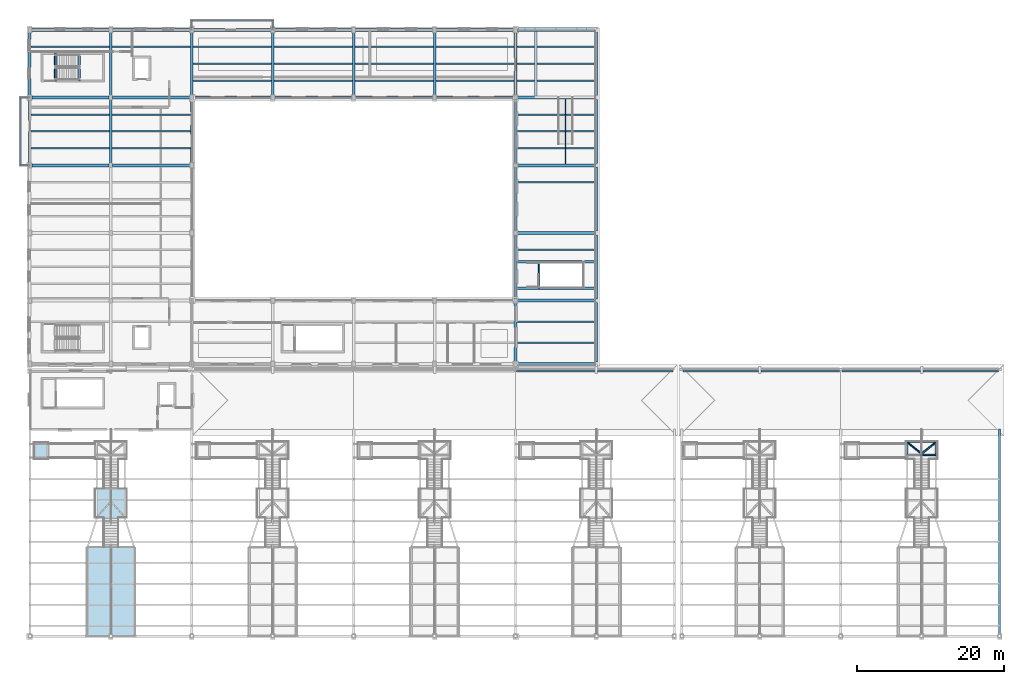
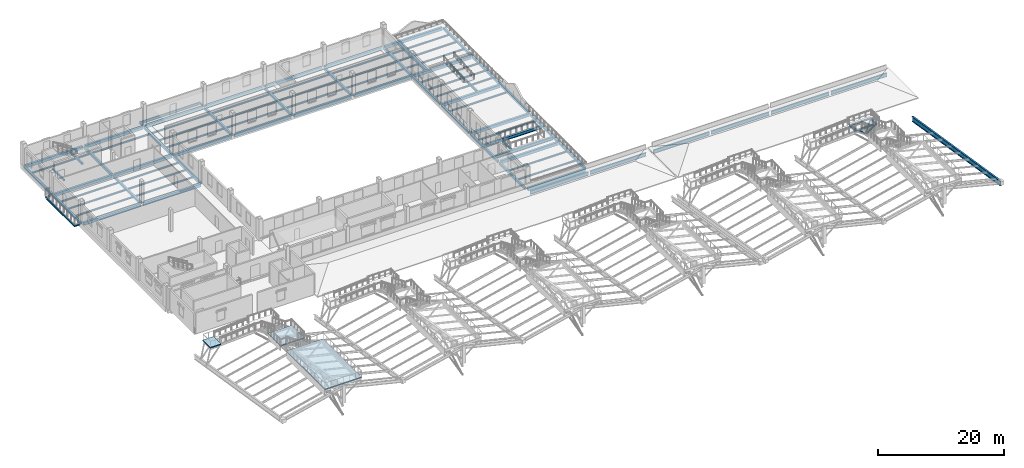
# One storey, part 15 of 43: 93 beams, 3 members, 3 slabs, 1 element without a shape of its own.
"""IFC4 building model written with IfcOpenShell, lengths in metres."""

from ifc_helpers import new_model, si_unit, direction, frame, origin, origin_2d, place, context, subcontext, project, spatial, polyline, rectangle, hollow_circle, i_section, outline, extrude, material, layer, layer_set, material_profile, profile_set, type_object, element, aggregate, save


model = new_model("IFC4")

# Units and contexts
model_context = context("Model", 3, precision=1e-05, world=origin(), true_north=direction((0.0, 1.0)))
body_context = subcontext(model_context, "Body", "Model", "MODEL_VIEW")
ifc_project = project(units=[si_unit("LENGTHUNIT", "METRE"), si_unit("AREAUNIT", "SQUARE_METRE"), si_unit("VOLUMEUNIT", "CUBIC_METRE"), si_unit("PLANEANGLEUNIT", "RADIAN"), si_unit("MASSUNIT", "GRAM", prefix="KILO")], contexts=[model_context])

# Site, building, storey
site_placement = place(None, origin())
site = spatial("IfcSite", under=ifc_project, at=site_placement, CompositionType="ELEMENT")
building_placement = place(site_placement, origin())
building = spatial("IfcBuilding", under=site, at=building_placement, Name="Caurita Quay Ferry Terminal", CompositionType="ELEMENT")
storey_placement = place(building_placement, frame((0.0, 0.0, 14.10009765625)))
storey = spatial("IfcBuildingStorey", under=building, at=storey_placement, Name="L03", CompositionType="ELEMENT", Elevation=14.10009765625)

# Beams
ifc_material_1 = material(Name="Structural steel ASTM A992 Gr. 50", Category="steel")
ifc_material_profile_1 = material_profile(ifc_material_1, i_section(OverallWidth=0.193115234375, OverallDepth=0.46728515625, WebThickness=0.011474609375, FlangeThickness=0.01904296875, FilletRadius=0.0126953125, at=origin_2d()), Name="W18X65")
ifc_profile_set_1 = profile_set([ifc_material_profile_1], Name="Structural steel ASTM A992 Gr. 50")
beam_type_1 = type_object("IfcBeamType", Name="BM-GR-W18A", PredefinedType="BEAM", material=ifc_profile_set_1)
beam_1_placement = place(storey_placement, frame((22.102294921875, 118.219970703125, -0.453857421875), z_axis=(1.0, 0.0, 0.0), x_axis=(0.0, 1.0, 0.0)))
element("IfcBeam", 1, at=beam_1_placement, inside=storey, type_object=beam_type_1, Name="L03 Balcony Front Edge Beam 14", PredefinedType="BEAM", context=body_context, shape_type="SweptSolid", body=[
    extrude(i_section(OverallWidth=0.193115234375, OverallDepth=0.46728515625, WebThickness=0.011474609375, FlangeThickness=0.01904296875, FilletRadius=0.0126953125, at=origin_2d()), origin(), (0.0, 0.0, 1.0), 10.79541015625),
])
beam_2_placement = place(storey_placement, frame((-1.219970703125, 98.7021484375, -0.453857421875), z_axis=(0.0, 1.0, 0.0), x_axis=(-1.0, 0.0, 0.0)))
element("IfcBeam", 2, at=beam_2_placement, inside=storey, type_object=beam_type_1, Name="L03 Balcony Front Edge Beam 15", PredefinedType="BEAM", context=body_context, shape_type="SweptSolid", body=[
    extrude(i_section(OverallWidth=0.193115234375, OverallDepth=0.46728515625, WebThickness=0.011474609375, FlangeThickness=0.01904296875, FilletRadius=0.0126953125, at=origin_2d()), origin(), (0.0, 0.0, 1.0), 8.99560546875),
])
beam_3_placement = place(storey_placement, frame((72.800048828125, 98.800048828125, -0.44384765625), z_axis=(0.0, 1.0, 0.0), x_axis=(-1.0, 0.0, 0.0)))
element("IfcBeam", 3, at=beam_3_placement, inside=storey, type_object=beam_type_1, Name="L03 Lookout Ramp RMP-06 Underside Stringer", PredefinedType="BEAM", context=body_context, shape_type="SweptSolid", body=[
    extrude(i_section(OverallWidth=0.193115234375, OverallDepth=0.46728515625, WebThickness=0.011474609375, FlangeThickness=0.01904296875, FilletRadius=0.0126953125, at=origin_2d()), origin(), (0.0, 0.0, 1.0), 8.800048828125),
])
ifc_material_profile_2 = material_profile(ifc_material_1, i_section(OverallWidth=0.3251953125, OverallDepth=0.612060546875, WebThickness=0.0126953125, FlangeThickness=0.01904296875, FilletRadius=0.01513671875, at=origin_2d()), Name="W24X104")
ifc_profile_set_2 = profile_set([ifc_material_profile_2], Name="Structural steel ASTM A992 Gr. 50")
beam_type_2 = type_object("IfcBeamType", Name="BM-GR-W24A", PredefinedType="BEAM", material=ifc_profile_set_2)
for number, where, z_axis, x_axis, name in (
    (4, (66.175048828125, 81.8798828125, -0.51611328125), (1.0, 0.0, 0.0), (0.0, 1.0, 0.0), "L03 Promenade Stair ST-14 Stringer S"),
    (5, (66.175048828125, 85.47998046875, -0.51611328125), (1.0, 0.0, 0.0), (0.0, 1.0, 0.0), "L03 Promenade Stair ST-14 Stringer N"),
):
    element("IfcBeam", number, at=place(storey_placement, frame(where, z_axis=z_axis, x_axis=x_axis)), inside=storey, type_object=beam_type_2, Name=name, PredefinedType="BEAM", context=body_context, shape_type="SweptSolid", body=[
        extrude(i_section(OverallWidth=0.3251953125, OverallDepth=0.612060546875, WebThickness=0.0126953125, FlangeThickness=0.01904296875, FilletRadius=0.01513671875, at=origin_2d()), origin(), (0.0, 0.0, 1.0), 10.64990234375),
    ])
ifc_material_profile_3 = material_profile(ifc_material_1, i_section(OverallWidth=0.25390625, OverallDepth=0.68310546875, WebThickness=0.012451171875, FlangeThickness=0.018798828125, at=origin_2d()), Name="W27X94")
ifc_profile_set_3 = profile_set([ifc_material_profile_3], Name="Structural steel ASTM A992 Gr. 50")
beam_type_3 = type_object("IfcBeamType", Name="BM-GR-W27B", PredefinedType="BEAM", material=ifc_profile_set_3)
beam_4_placement = place(storey_placement, frame((66.15771484375, 70.60009765625, -0.551513671875), z_axis=(1.0, 0.0, 0.0), x_axis=(0.0, 1.0, 0.0)))
element("IfcBeam", 6, at=beam_4_placement, inside=storey, type_object=beam_type_3, Name="L03 Beam BM-V1-L03-X-662-706", PredefinedType="BEAM", context=body_context, shape_type="SweptSolid", body=[
    extrude(i_section(OverallWidth=0.25390625, OverallDepth=0.68310546875, WebThickness=0.012451171875, FlangeThickness=0.018798828125, at=origin_2d()), origin(), (0.0, 0.0, 1.0), 10.6845703125),
])
beam_5_placement = place(storey_placement, frame((77.15771484375, 70.60009765625, -0.551513671875), z_axis=(1.0, 0.0, 0.0), x_axis=(0.0, 1.0, 0.0)))
element("IfcBeam", 7, at=beam_5_placement, inside=storey, type_object=beam_type_3, Name="L03 Beam BM-V1-L03-X-772-706", PredefinedType="BEAM", context=body_context, shape_type="SweptSolid", body=[
    extrude(i_section(OverallWidth=0.25390625, OverallDepth=0.68310546875, WebThickness=0.012451171875, FlangeThickness=0.018798828125, at=origin_2d()), origin(), (0.0, 0.0, 1.0), 10.28466796875),
])
beam_6_placement = place(storey_placement, frame((88.75634765625, 70.60009765625, -0.551513671875), z_axis=(1.0, 0.0, 0.0), x_axis=(0.0, 1.0, 0.0)))
element("IfcBeam", 8, at=beam_6_placement, inside=storey, type_object=beam_type_3, Name="L03 Beam BM-V2-L03-X-888-706", PredefinedType="BEAM", context=body_context, shape_type="SweptSolid", body=[
    extrude(i_section(OverallWidth=0.25390625, OverallDepth=0.68310546875, WebThickness=0.012451171875, FlangeThickness=0.018798828125, at=origin_2d()), origin(), (0.0, 0.0, 1.0), 10.287353515625),
])
for number, where, z_axis, x_axis, name in (
    (9, (99.3564453125, 70.60009765625, -0.551513671875), (1.0, 0.0, 0.0), (0.0, 1.0, 0.0), "L03 Beam BM-V2-L03-X-994-706"),
    (10, (110.3564453125, 70.60009765625, -0.551513671875), (1.0, 0.0, 0.0), (0.0, 1.0, 0.0), "L03 Beam BM-V2-L03-X-1104-706"),
):
    element("IfcBeam", number, at=place(storey_placement, frame(where, z_axis=z_axis, x_axis=x_axis)), inside=storey, type_object=beam_type_3, Name=name, PredefinedType="BEAM", context=body_context, shape_type="SweptSolid", body=[
        extrude(i_section(OverallWidth=0.25390625, OverallDepth=0.68310546875, WebThickness=0.012451171875, FlangeThickness=0.018798828125, at=origin_2d()), origin(), (0.0, 0.0, 1.0), 10.687255859375),
    ])
beam_7_placement = place(storey_placement, frame((121.3564453125, 70.60009765625, -0.551513671875), z_axis=(1.0, 0.0, 0.0), x_axis=(0.0, 1.0, 0.0)))
element("IfcBeam", 11, at=beam_7_placement, inside=storey, type_object=beam_type_3, Name="L03 Beam BM-V2-L03-X-1214-706", PredefinedType="BEAM", context=body_context, shape_type="SweptSolid", body=[
    extrude(i_section(OverallWidth=0.25390625, OverallDepth=0.68310546875, WebThickness=0.012451171875, FlangeThickness=0.018798828125, at=origin_2d()), origin(), (0.0, 0.0, 1.0), 10.287109375),
])
ifc_material_profile_4 = material_profile(ifc_material_1, i_section(OverallWidth=0.20458984375, OverallDepth=0.307373046875, WebThickness=0.008544921875, FlangeThickness=0.0146484375, FilletRadius=0.0126953125, at=origin_2d()), Name="W12X45")
ifc_profile_set_4 = profile_set([ifc_material_profile_4], Name="Structural steel ASTM A992 Gr. 50")
beam_type_4 = type_object("IfcBeamType", Name="BM-JS-W12B", PredefinedType="JOIST", material=ifc_profile_set_4)
for number, where, z_axis, x_axis, name in (
    (12, (0.175048828125, 100.89990234375, -0.373779296875), (1.0, 0.0, 0.0), (0.0, 1.0, 0.0), "L03 Beam JS-V5-L03-008"),
    (13, (0.175048828125, 103.199951171875, -0.373779296875), (1.0, 0.0, 0.0), (0.0, 1.0, 0.0), "L03 Beam JS-V5-L03-009"),
    (14, (0.175048828125, 105.5, -0.373779296875), (1.0, 0.0, 0.0), (0.0, 1.0, 0.0), "L03 Beam JS-V5-L03-010"),
    (15, (0.175048828125, 114.699951171875, -0.373779296875), (1.0, 0.0, 0.0), (0.0, 1.0, 0.0), "L03 Beam JS-V5-L03-011"),
    (16, (11.175048828125, 100.89990234375, -0.373779296875), (1.0, 0.0, 0.0), (0.0, 1.0, 0.0), "L03 Beam JS-V5-L03-019"),
    (17, (11.175048828125, 103.199951171875, -0.373779296875), (1.0, 0.0, 0.0), (0.0, 1.0, 0.0), "L03 Beam JS-V5-L03-020"),
    (18, (11.175048828125, 105.5, -0.373779296875), (1.0, 0.0, 0.0), (0.0, 1.0, 0.0), "L03 Beam JS-V5-L03-021"),
    (19, (11.175048828125, 114.699951171875, -0.373779296875), (1.0, 0.0, 0.0), (0.0, 1.0, 0.0), "L03 Beam JS-V5-L03-022"),
    (20, (22.175048828125, 110.10009765625, -0.373779296875), (1.0, 0.0, 0.0), (0.0, 1.0, 0.0), "L03 Beam JS-V5-L03-025"),
    (21, (22.175048828125, 112.39990234375, -0.373779296875), (1.0, 0.0, 0.0), (0.0, 1.0, 0.0), "L03 Beam JS-V5-L03-026"),
    (22, (22.175048828125, 114.699951171875, -0.373779296875), (1.0, 0.0, 0.0), (0.0, 1.0, 0.0), "L03 Beam JS-V5-L03-027"),
    (23, (33.175048828125, 110.10009765625, -0.373779296875), (1.0, 0.0, 0.0), (0.0, 1.0, 0.0), "L03 Beam JS-V5-L03-029"),
    (24, (33.175048828125, 112.39990234375, -0.373779296875), (1.0, 0.0, 0.0), (0.0, 1.0, 0.0), "L03 Beam JS-V5-L03-030"),
    (25, (33.175048828125, 114.699951171875, -0.373779296875), (1.0, 0.0, 0.0), (0.0, 1.0, 0.0), "L03 Beam JS-V5-L03-031"),
    (26, (44.175048828125, 110.10009765625, -0.373779296875), (1.0, 0.0, 0.0), (0.0, 1.0, 0.0), "L03 Beam JS-V5-L03-034"),
    (27, (44.175048828125, 112.39990234375, -0.373779296875), (1.0, 0.0, 0.0), (0.0, 1.0, 0.0), "L03 Beam JS-V5-L03-035"),
    (28, (44.175048828125, 114.699951171875, -0.373779296875), (1.0, 0.0, 0.0), (0.0, 1.0, 0.0), "L03 Beam JS-V5-L03-036"),
    (29, (55.175048828125, 110.10009765625, -0.373779296875), (1.0, 0.0, 0.0), (0.0, 1.0, 0.0), "L03 Beam JS-V5-L03-039"),
    (30, (55.175048828125, 112.39990234375, -0.373779296875), (1.0, 0.0, 0.0), (0.0, 1.0, 0.0), "L03 Beam JS-V5-L03-040"),
    (31, (55.175048828125, 114.699951171875, -0.373779296875), (1.0, 0.0, 0.0), (0.0, 1.0, 0.0), "L03 Beam JS-V5-L03-041"),
    (32, (66.175048828125, 74.466796875, -0.36376953125), (1.0, 0.0, 0.0), (0.0, 1.0, 0.0), "L03 Beam JS-V5-L03-042"),
    (33, (66.175048828125, 77.333251953125, -0.36376953125), (1.0, 0.0, 0.0), (0.0, 1.0, 0.0), "L03 Beam JS-V5-L03-043"),
    (34, (66.175048828125, 87.10009765625, -0.36376953125), (1.0, 0.0, 0.0), (0.0, 1.0, 0.0), "L03 Beam JS-V5-L03-044"),
    (35, (66.175048828125, 96.300048828125, -0.36376953125), (1.0, 0.0, 0.0), (0.0, 1.0, 0.0), "L03 Beam JS-V5-L03-045"),
    (36, (66.175048828125, 100.89990234375, -0.36376953125), (1.0, 0.0, 0.0), (0.0, 1.0, 0.0), "L03 Beam JS-V5-L03-046"),
    (37, (66.175048828125, 103.199951171875, -0.36376953125), (1.0, 0.0, 0.0), (0.0, 1.0, 0.0), "L03 Beam JS-V5-L03-047"),
    (38, (66.175048828125, 105.5, -0.36376953125), (1.0, 0.0, 0.0), (0.0, 1.0, 0.0), "L03 Beam JS-V5-L03-048"),
    (39, (66.175048828125, 110.10009765625, -0.36376953125), (1.0, 0.0, 0.0), (0.0, 1.0, 0.0), "L03 Beam JS-V5-L03-049"),
    (40, (66.175048828125, 112.39990234375, -0.36376953125), (1.0, 0.0, 0.0), (0.0, 1.0, 0.0), "L03 Beam JS-V5-L03-050"),
    (41, (66.175048828125, 114.699951171875, -0.36376953125), (1.0, 0.0, 0.0), (0.0, 1.0, 0.0), "L03 Beam JS-V5-L03-051"),
):
    element("IfcBeam", number, at=place(storey_placement, frame(where, z_axis=z_axis, x_axis=x_axis)), inside=storey, type_object=beam_type_4, Name=name, PredefinedType="JOIST", context=body_context, shape_type="SweptSolid", body=[
        extrude(i_section(OverallWidth=0.20458984375, OverallDepth=0.307373046875, WebThickness=0.008544921875, FlangeThickness=0.0146484375, FilletRadius=0.0126953125, at=origin_2d()), origin(), (0.0, 0.0, 1.0), 10.64990234375),
    ])
ifc_material_profile_5 = material_profile(ifc_material_1, i_section(OverallWidth=0.20458984375, OverallDepth=0.307373046875, WebThickness=0.008544921875, FlangeThickness=0.0146484375, FilletRadius=0.0126953125, at=origin_2d()), Name="W12X45")
ifc_profile_set_5 = profile_set([ifc_material_profile_5], Name="Structural steel ASTM A992 Gr. 50")
beam_type_5 = type_object("IfcBeamType", Name="BM-OUT-W12", PredefinedType="BEAM", material=ifc_profile_set_5)
for number, where, z_axis, x_axis, name in (
    (42, (22.0, 117.239990234375, -0.373779296875), (0.0, 1.0, 0.0), (-1.0, 0.0, 0.0), "L03 Balcony Outrigger Cantilever 19"),
    (43, (33.0, 117.239990234375, -0.373779296875), (0.0, 1.0, 0.0), (-1.0, 0.0, 0.0), "L03 Balcony Outrigger Cantilever 20"),
    (44, (-0.239990234375, 98.60009765625, -0.373779296875), (-1.0, 0.0, 0.0), (0.0, -1.0, 0.0), "L03 Balcony Outrigger Cantilever 21"),
    (45, (-0.239990234375, 107.800048828125, -0.373779296875), (-1.0, 0.0, 0.0), (0.0, -1.0, 0.0), "L03 Balcony Outrigger Cantilever 22"),
):
    element("IfcBeam", number, at=place(storey_placement, frame(where, z_axis=z_axis, x_axis=x_axis)), inside=storey, type_object=beam_type_5, Name=name, PredefinedType="BEAM", context=body_context, shape_type="SweptSolid", body=[
        extrude(i_section(OverallWidth=0.20458984375, OverallDepth=0.307373046875, WebThickness=0.008544921875, FlangeThickness=0.0146484375, FilletRadius=0.0126953125, at=origin_2d()), origin(), (0.0, 0.0, 1.0), 1.110107421875),
    ])
ifc_material_2 = material(Name="Reinforced concrete C35/45", Category="concrete")
ifc_material_profile_6 = material_profile(ifc_material_2, rectangle(XDim=0.35009765625, YDim=0.449951171875, at=origin_2d()), Name="RC-BM-350X450")
ifc_profile_set_6 = profile_set([ifc_material_profile_6], Name="Reinforced concrete C35/45")
beam_type_6 = type_object("IfcBeamType", Name="BM-RC-3545", PredefinedType="SPANDREL", material=ifc_profile_set_6)
beam_8_placement = place(storey_placement, frame((0.0, 98.85498046875, -0.445068359375), z_axis=(0.0, 1.0, 0.0), x_axis=(-1.0, 0.0, 0.0)))
element("IfcBeam", 46, at=beam_8_placement, inside=storey, type_object=beam_type_6, Name="L03 Beam BM-V5-L03-Y-0-989", PredefinedType="SPANDREL", context=body_context, shape_type="SweptSolid", body=[
    extrude(rectangle(XDim=0.35009765625, YDim=0.449951171875, at=origin_2d()), origin(), (0.0, 0.0, 1.0), 8.68994140625),
])
beam_9_placement = place(storey_placement, frame((0.0, 108.054931640625, -0.445068359375), z_axis=(0.0, 1.0, 0.0), x_axis=(-1.0, 0.0, 0.0)))
element("IfcBeam", 47, at=beam_9_placement, inside=storey, type_object=beam_type_6, Name="L03 Beam BM-V5-L03-Y-0-1081", PredefinedType="SPANDREL", context=body_context, shape_type="SweptSolid", body=[
    extrude(rectangle(XDim=0.35009765625, YDim=0.449951171875, at=origin_2d()), origin(), (0.0, 0.0, 1.0), 8.690185546875),
])
beam_10_placement = place(storey_placement, frame((11.0, 98.85498046875, -0.445068359375), z_axis=(0.0, 1.0, 0.0), x_axis=(-1.0, 0.0, 0.0)))
element("IfcBeam", 48, at=beam_10_placement, inside=storey, type_object=beam_type_6, Name="L03 Beam BM-V5-L03-Y-110-989", PredefinedType="SPANDREL", context=body_context, shape_type="SweptSolid", body=[
    extrude(rectangle(XDim=0.35009765625, YDim=0.449951171875, at=origin_2d()), origin(), (0.0, 0.0, 1.0), 8.68994140625),
])
beam_11_placement = place(storey_placement, frame((11.0, 108.054931640625, -0.445068359375), z_axis=(0.0, 1.0, 0.0), x_axis=(-1.0, 0.0, 0.0)))
element("IfcBeam", 49, at=beam_11_placement, inside=storey, type_object=beam_type_6, Name="L03 Beam BM-V5-L03-Y-110-1081", PredefinedType="SPANDREL", context=body_context, shape_type="SweptSolid", body=[
    extrude(rectangle(XDim=0.35009765625, YDim=0.449951171875, at=origin_2d()), origin(), (0.0, 0.0, 1.0), 8.690185546875),
])
beam_12_placement = place(storey_placement, frame((22.0, 98.85498046875, -0.445068359375), z_axis=(0.0, 1.0, 0.0), x_axis=(-1.0, 0.0, 0.0)))
element("IfcBeam", 50, at=beam_12_placement, inside=storey, type_object=beam_type_6, Name="L03 Beam BM-V5-L03-Y-220-989", PredefinedType="SPANDREL", context=body_context, shape_type="SweptSolid", body=[
    extrude(rectangle(XDim=0.35009765625, YDim=0.449951171875, at=origin_2d()), origin(), (0.0, 0.0, 1.0), 8.68994140625),
])
for number, where, z_axis, x_axis, name in (
    (51, (22.0, 108.054931640625, -0.445068359375), (0.0, 1.0, 0.0), (-1.0, 0.0, 0.0), "L03 Beam BM-V5-L03-Y-220-1081"),
    (52, (33.0, 108.054931640625, -0.445068359375), (0.0, 1.0, 0.0), (-1.0, 0.0, 0.0), "L03 Beam BM-V5-L03-Y-330-1081"),
    (53, (44.0, 108.054931640625, -0.445068359375), (0.0, 1.0, 0.0), (-1.0, 0.0, 0.0), "L03 Beam BM-V5-L03-Y-440-1081"),
    (54, (55.0, 108.054931640625, -0.445068359375), (0.0, 1.0, 0.0), (-1.0, 0.0, 0.0), "L03 Beam BM-V5-L03-Y-550-1081"),
):
    element("IfcBeam", number, at=place(storey_placement, frame(where, z_axis=z_axis, x_axis=x_axis)), inside=storey, type_object=beam_type_6, Name=name, PredefinedType="SPANDREL", context=body_context, shape_type="SweptSolid", body=[
        extrude(rectangle(XDim=0.35009765625, YDim=0.449951171875, at=origin_2d()), origin(), (0.0, 0.0, 1.0), 8.690185546875),
    ])
beam_13_placement = place(storey_placement, frame((66.0, 71.85498046875, -0.445068359375), z_axis=(0.0, 1.0, 0.0), x_axis=(-1.0, 0.0, 0.0)))
element("IfcBeam", 55, at=beam_13_placement, inside=storey, type_object=beam_type_6, Name="L03 Beam BM-V5-L03-Y-660-719", PredefinedType="SPANDREL", context=body_context, shape_type="SweptSolid", body=[
    extrude(rectangle(XDim=0.35009765625, YDim=0.449951171875, at=origin_2d()), origin(), (0.0, 0.0, 1.0), 8.090087890625),
])
for number, where, z_axis, x_axis, name in (
    (56, (66.0, 80.455078125, -0.43505859375), (0.0, 1.0, 0.0), (-1.0, 0.0, 0.0), "L03 Beam BM-V5-L03-Y-660-805"),
    (57, (66.0, 89.655029296875, -0.43505859375), (0.0, 1.0, 0.0), (-1.0, 0.0, 0.0), "L03 Beam BM-V5-L03-Y-660-897"),
    (58, (66.0, 98.85498046875, -0.43505859375), (0.0, 1.0, 0.0), (-1.0, 0.0, 0.0), "L03 Beam BM-V5-L03-Y-660-989"),
):
    element("IfcBeam", number, at=place(storey_placement, frame(where, z_axis=z_axis, x_axis=x_axis)), inside=storey, type_object=beam_type_6, Name=name, PredefinedType="SPANDREL", context=body_context, shape_type="SweptSolid", body=[
        extrude(rectangle(XDim=0.35009765625, YDim=0.449951171875, at=origin_2d()), origin(), (0.0, 0.0, 1.0), 8.68994140625),
    ])
beam_14_placement = place(storey_placement, frame((66.0, 108.054931640625, -0.445068359375), z_axis=(0.0, 1.0, 0.0), x_axis=(-1.0, 0.0, 0.0)))
element("IfcBeam", 59, at=beam_14_placement, inside=storey, type_object=beam_type_6, Name="L03 Beam BM-V5-L03-Y-660-1081", PredefinedType="SPANDREL", context=body_context, shape_type="SweptSolid", body=[
    extrude(rectangle(XDim=0.35009765625, YDim=0.449951171875, at=origin_2d()), origin(), (0.0, 0.0, 1.0), 8.690185546875),
])
beam_15_placement = place(storey_placement, frame((77.0, 71.85498046875, -0.43505859375), z_axis=(0.0, 1.0, 0.0), x_axis=(-1.0, 0.0, 0.0)))
element("IfcBeam", 60, at=beam_15_placement, inside=storey, type_object=beam_type_6, Name="L03 Beam BM-V5-L03-Y-770-719", PredefinedType="SPANDREL", context=body_context, shape_type="SweptSolid", body=[
    extrude(rectangle(XDim=0.35009765625, YDim=0.449951171875, at=origin_2d()), origin(), (0.0, 0.0, 1.0), 8.090087890625),
])
for number, where, z_axis, x_axis, name in (
    (61, (77.0, 80.455078125, -0.43505859375), (0.0, 1.0, 0.0), (-1.0, 0.0, 0.0), "L03 Beam BM-V5-L03-Y-770-805"),
    (62, (77.0, 89.655029296875, -0.43505859375), (0.0, 1.0, 0.0), (-1.0, 0.0, 0.0), "L03 Beam BM-V5-L03-Y-770-897"),
    (63, (77.0, 98.85498046875, -0.43505859375), (0.0, 1.0, 0.0), (-1.0, 0.0, 0.0), "L03 Beam BM-V5-L03-Y-770-989"),
):
    element("IfcBeam", number, at=place(storey_placement, frame(where, z_axis=z_axis, x_axis=x_axis)), inside=storey, type_object=beam_type_6, Name=name, PredefinedType="SPANDREL", context=body_context, shape_type="SweptSolid", body=[
        extrude(rectangle(XDim=0.35009765625, YDim=0.449951171875, at=origin_2d()), origin(), (0.0, 0.0, 1.0), 8.68994140625),
    ])
beam_16_placement = place(storey_placement, frame((77.0, 108.054931640625, -0.43505859375), z_axis=(0.0, 1.0, 0.0), x_axis=(-1.0, 0.0, 0.0)))
element("IfcBeam", 64, at=beam_16_placement, inside=storey, type_object=beam_type_6, Name="L03 Beam BM-V5-L03-Y-770-1081", PredefinedType="SPANDREL", context=body_context, shape_type="SweptSolid", body=[
    extrude(rectangle(XDim=0.35009765625, YDim=0.449951171875, at=origin_2d()), origin(), (0.0, 0.0, 1.0), 8.690185546875),
])
ifc_material_profile_7 = material_profile(ifc_material_2, rectangle(XDim=0.39990234375, YDim=0.550048828125, at=origin_2d()), Name="RC-BM-400X550")
ifc_profile_set_7 = profile_set([ifc_material_profile_7], Name="Reinforced concrete C35/45")
beam_type_7 = type_object("IfcBeamType", Name="BM-RC-4055", PredefinedType="BEAM", material=ifc_profile_set_7)
for number, where, z_axis, x_axis, name in (
    (65, (66.2548828125, 71.60009765625, -0.485107421875), (1.0, 0.0, 0.0), (0.0, 1.0, 0.0), "L03 Beam BM-V5-L03-X-663-716"),
    (66, (66.2548828125, 80.199951171875, -0.485107421875), (1.0, 0.0, 0.0), (0.0, 1.0, 0.0), "L03 Beam BM-V5-L03-X-663-802"),
    (67, (66.2548828125, 89.39990234375, -0.485107421875), (1.0, 0.0, 0.0), (0.0, 1.0, 0.0), "L03 Beam BM-V5-L03-X-663-894"),
    (68, (0.2548828125, 98.60009765625, -0.4951171875), (1.0, 0.0, 0.0), (0.0, 1.0, 0.0), "L03 Beam BM-V5-L03-X-3-986"),
    (69, (11.2548828125, 98.60009765625, -0.4951171875), (1.0, 0.0, 0.0), (0.0, 1.0, 0.0), "L03 Beam BM-V5-L03-X-113-986"),
    (70, (66.2548828125, 98.60009765625, -0.485107421875), (1.0, 0.0, 0.0), (0.0, 1.0, 0.0), "L03 Beam BM-V5-L03-X-663-986"),
    (71, (0.2548828125, 107.800048828125, -0.4951171875), (1.0, 0.0, 0.0), (0.0, 1.0, 0.0), "L03 Beam BM-V5-L03-X-3-1078"),
    (72, (11.2548828125, 107.800048828125, -0.4951171875), (1.0, 0.0, 0.0), (0.0, 1.0, 0.0), "L03 Beam BM-V5-L03-X-113-1078"),
    (73, (22.2548828125, 107.800048828125, -0.4951171875), (1.0, 0.0, 0.0), (0.0, 1.0, 0.0), "L03 Beam BM-V5-L03-X-223-1078"),
    (74, (33.2548828125, 107.800048828125, -0.4951171875), (1.0, 0.0, 0.0), (0.0, 1.0, 0.0), "L03 Beam BM-V5-L03-X-333-1078"),
    (75, (44.2548828125, 107.800048828125, -0.4951171875), (1.0, 0.0, 0.0), (0.0, 1.0, 0.0), "L03 Beam BM-V5-L03-X-443-1078"),
    (76, (55.2548828125, 107.800048828125, -0.4951171875), (1.0, 0.0, 0.0), (0.0, 1.0, 0.0), "L03 Beam BM-V5-L03-X-553-1078"),
    (77, (66.2548828125, 107.800048828125, -0.485107421875), (1.0, 0.0, 0.0), (0.0, 1.0, 0.0), "L03 Beam BM-V5-L03-X-663-1078"),
    (78, (0.2548828125, 117.0, -0.4951171875), (1.0, 0.0, 0.0), (0.0, 1.0, 0.0), "L03 Beam BM-V5-L03-X-3-1170"),
    (79, (11.2548828125, 117.0, -0.4951171875), (1.0, 0.0, 0.0), (0.0, 1.0, 0.0), "L03 Beam BM-V5-L03-X-113-1170"),
    (80, (22.2548828125, 117.0, -0.4951171875), (1.0, 0.0, 0.0), (0.0, 1.0, 0.0), "L03 Beam BM-V5-L03-X-223-1170"),
    (81, (33.2548828125, 117.0, -0.4951171875), (1.0, 0.0, 0.0), (0.0, 1.0, 0.0), "L03 Beam BM-V5-L03-X-333-1170"),
    (82, (44.2548828125, 117.0, -0.4951171875), (1.0, 0.0, 0.0), (0.0, 1.0, 0.0), "L03 Beam BM-V5-L03-X-443-1170"),
    (83, (55.2548828125, 117.0, -0.4951171875), (1.0, 0.0, 0.0), (0.0, 1.0, 0.0), "L03 Beam BM-V5-L03-X-553-1170"),
    (84, (66.2548828125, 117.0, -0.485107421875), (1.0, 0.0, 0.0), (0.0, 1.0, 0.0), "L03 Beam BM-V5-L03-X-663-1170"),
):
    element("IfcBeam", number, at=place(storey_placement, frame(where, z_axis=z_axis, x_axis=x_axis)), inside=storey, type_object=beam_type_7, Name=name, PredefinedType="BEAM", context=body_context, shape_type="SweptSolid", body=[
        extrude(rectangle(XDim=0.39990234375, YDim=0.550048828125, at=origin_2d()), origin(), (0.0, 0.0, 1.0), 10.490234375),
    ])
beam_17_placement = place(storey_placement, frame((68.75, 108.0, -0.485107421875), z_axis=(0.0, 1.0, 0.0), x_axis=(-1.0, 0.0, 0.0)))
element("IfcBeam", 85, at=beam_17_placement, inside=storey, type_object=beam_type_7, Name="L03 Harbour Lookout Plinth Support Beam", PredefinedType="BEAM", context=body_context, shape_type="SweptSolid", body=[
    extrude(rectangle(XDim=0.39990234375, YDim=0.550048828125, at=origin_2d()), origin(), (0.0, 0.0, 1.0), 8.800048828125),
])
ifc_material_profile_8 = material_profile(ifc_material_1, i_section(OverallWidth=0.310302734375, OverallDepth=0.949951171875, WebThickness=0.0244140625, FlangeThickness=0.0439453125, FilletRadius=0.024169921875, at=origin_2d()), Name="W36X256")
ifc_profile_set_8 = profile_set([ifc_material_profile_8], Name="Structural steel ASTM A992 Gr. 50")
beam_type_8 = type_object("IfcBeamType", Name="BM-RF-W36A", PredefinedType="BEAM", material=ifc_profile_set_8)
beam_18_placement = place(storey_placement, frame((131.800048828125, 62.699951171875, -4.39599609375), z_axis=(0.0, -0.98744132788, 0.157986151272), x_axis=(1.0, 0.0, 0.0)))
element("IfcBeam", 86, at=beam_18_placement, inside=storey, type_object=beam_type_8, Name="Folded Roof Valley Girder V2-05", PredefinedType="BEAM", context=body_context, shape_type="SweptSolid", body=[
    extrude(i_section(OverallWidth=0.310302734375, OverallDepth=0.949951171875, WebThickness=0.0244140625, FlangeThickness=0.0439453125, FilletRadius=0.024169921875, at=origin_2d()), origin(), (0.0, 0.0, 1.0), 28.457275390625),
])
ifc_material_profile_9 = material_profile(ifc_material_1, i_section(OverallWidth=0.20458984375, OverallDepth=0.307373046875, WebThickness=0.008544921875, FlangeThickness=0.0146484375, FilletRadius=0.0126953125, at=origin_2d()), Name="W12X45")
ifc_profile_set_9 = profile_set([ifc_material_profile_9], Name="Structural steel ASTM A992 Gr. 50")
beam_type_9 = type_object("IfcBeamType", Name="BM-TRM-W12", PredefinedType="BEAM", material=ifc_profile_set_9)
for number, where, z_axis, x_axis, name in (
    (87, (119.14990234375, 61.0, -0.25390625), (1.0, 0.0, 0.0), (0.0, 1.0, 0.0), "Folded Roof Bay 6 Stair Trimmer Beam 1"),
    (88, (119.14990234375, 59.25, -0.25390625), (1.0, 0.0, 0.0), (0.0, 1.0, 0.0), "Folded Roof Bay 6 Stair Trimmer Beam 2"),
):
    element("IfcBeam", number, at=place(storey_placement, frame(where, z_axis=z_axis, x_axis=x_axis)), inside=storey, type_object=beam_type_9, Name=name, PredefinedType="BEAM", context=body_context, shape_type="SweptSolid", body=[
        extrude(i_section(OverallWidth=0.20458984375, OverallDepth=0.307373046875, WebThickness=0.008544921875, FlangeThickness=0.0146484375, FilletRadius=0.0126953125, at=origin_2d()), origin(), (0.0, 0.0, 1.0), 4.10009765625),
    ])
for number, where, z_axis, x_axis, name in (
    (89, (119.280029296875, 60.897705078125, -0.25390625), (0.0, -1.0, 0.0), (1.0, 0.0, 0.0), "Folded Roof Bay 6 Lookout Edge Beam 01"),
    (90, (123.1201171875, 60.897705078125, -0.25390625), (0.0, -1.0, 0.0), (1.0, 0.0, 0.0), "Folded Roof Bay 6 Lookout Edge Beam 02"),
):
    element("IfcBeam", number, at=place(storey_placement, frame(where, z_axis=z_axis, x_axis=x_axis)), inside=storey, type_object=beam_type_9, Name=name, PredefinedType="BEAM", context=body_context, shape_type="SweptSolid", body=[
        extrude(i_section(OverallWidth=0.20458984375, OverallDepth=0.307373046875, WebThickness=0.008544921875, FlangeThickness=0.0146484375, FilletRadius=0.0126953125, at=origin_2d()), origin(), (0.0, 0.0, 1.0), 1.54541015625),
    ])
ifc_material_profile_10 = material_profile(ifc_material_2, rectangle(XDim=0.25, YDim=0.300048828125, at=origin_2d()), Name="RC-LN-250X300")
ifc_profile_set_10 = profile_set([ifc_material_profile_10], Name="Reinforced concrete C35/45")
beam_type_10 = type_object("IfcBeamType", Name="LN-RC-2530", PredefinedType="LINTEL", material=ifc_profile_set_10)
beam_19_placement = place(storey_placement, frame((3.449951171875, 110.050048828125, -0.150146484375), z_axis=(0.0, 1.0, 0.0), x_axis=(-1.0, 0.0, 0.0)))
element("IfcBeam", 91, at=beam_19_placement, inside=storey, type_object=beam_type_10, Name="L03 Stair ST-01 Landing Trimmer Beam", PredefinedType="LINTEL", context=body_context, shape_type="SweptSolid", body=[
    extrude(rectangle(XDim=0.25, YDim=0.300048828125, at=origin_2d()), origin(), (0.0, 0.0, 1.0), 3.760009765625),
])
beam_20_placement = place(storey_placement, frame((69.199951171875, 81.8798828125, -0.150146484375), z_axis=(0.0, 1.0, 0.0), x_axis=(-1.0, 0.0, 0.0)))
element("IfcBeam", 92, at=beam_20_placement, inside=storey, type_object=beam_type_10, Name="L03 Promenade Stair ST-14 Upper Trimmer Beam", PredefinedType="LINTEL", context=body_context, shape_type="SweptSolid", body=[
    extrude(rectangle(XDim=0.25, YDim=0.300048828125, at=origin_2d()), origin(), (0.0, 0.0, 1.0), 3.60009765625),
])
ifc_material_profile_11 = material_profile(ifc_material_2, rectangle(XDim=0.300048828125, YDim=0.35009765625, at=origin_2d()), Name="RC-LN-300X350")
ifc_profile_set_11 = profile_set([ifc_material_profile_11], Name="Reinforced concrete C35/45")
beam_type_11 = type_object("IfcBeamType", Name="LN-RC-3035", PredefinedType="LINTEL", material=ifc_profile_set_11)
beam_21_placement = place(storey_placement, frame((6.75, 110.050048828125, 1.9248046875), z_axis=(0.0, 1.0, 0.0), x_axis=(-1.0, 0.0, 0.0)))
element("IfcBeam", 93, at=beam_21_placement, inside=storey, type_object=beam_type_11, Name="L03 Stair ST-01 Half-Landing Beam 1", PredefinedType="LINTEL", context=body_context, shape_type="SweptSolid", body=[
    extrude(rectangle(XDim=0.300048828125, YDim=0.35009765625, at=origin_2d()), origin(), (0.0, 0.0, 1.0), 3.760009765625),
])

# Members
ifc_material_3 = material(Name="Hollow structural steel ASTM A500 Gr. C", Category="steel")
ifc_material_profile_12 = material_profile(ifc_material_3, hollow_circle(Radius=0.136474609375, WallThickness=0.008544921875, at=origin_2d()), Name="HSS10.750X0.365")
ifc_profile_set_12 = profile_set([ifc_material_profile_12], Name="Hollow structural steel ASTM A500 Gr. C")
member_type = type_object("IfcMemberType", Name="MEM-STR-10", PredefinedType="STRUT", material=ifc_profile_set_12)
for number, where, z_axis, x_axis, name in (
    (94, (121.199951171875, 59.39990234375, -1.612060546875), (-0.691667618679, 0.550612118648, 0.467356609099), (-0.622815852586, -0.782368464196, 0.0), "Folded Roof Bay 6 Lookout Bent Strut 1W"),
    (95, (121.199951171875, 59.39990234375, -1.612060546875), (0.691667618679, 0.550612118648, 0.467356609099), (-0.622815852586, 0.782368464196, 0.0), "Folded Roof Bay 6 Lookout Bent Strut 1E"),
):
    element("IfcMember", number, at=place(storey_placement, frame(where, z_axis=z_axis, x_axis=x_axis)), inside=storey, type_object=member_type, Name=name, PredefinedType="STRUT", context=body_context, shape_type="SweptSolid", body=[
        extrude(hollow_circle(Radius=0.136474609375, WallThickness=0.008544921875, at=origin_2d()), origin(), (0.0, 0.0, 1.0), 2.906005859375),
    ])
member_placement = place(storey_placement, frame((121.199951171875, 59.25, -1.588134765625), z_axis=(0.833154023722, 0.0, 0.55304102267), x_axis=(0.0, 1.0, 0.0)))
element("IfcMember", 96, at=member_placement, inside=storey, type_object=member_type, Name="Folded Roof Bay 6 Lookout Bent Strut 2E", PredefinedType="STRUT", context=body_context, shape_type="SweptSolid", body=[
    extrude(hollow_circle(Radius=0.136474609375, WallThickness=0.008544921875, at=origin_2d()), origin(), (0.0, 0.0, 1.0), 2.41259765625),
])

# Stair, slabs
stair_type = type_object("IfcStairType", Name="STR-PK-01", PredefinedType="STRAIGHT_RUN_STAIR", material=ifc_material_2)
stair_placement = place(storey_placement, origin())
stair = element("IfcStair", 97, at=stair_placement, inside=storey, type_object=stair_type, Name="Folded Roof Bay 1 Lookout Stair ST-15", PredefinedType="STRAIGHT_RUN_STAIR")
ifc_layer = layer(ifc_material_2, 0.199951171875, Name="Reinforced concrete landing slab 200 mm")
ifc_layer_set = layer_set([ifc_layer], Name="Reinforced concrete C35/45")
slab_type = type_object("IfcSlabType", Name="SLB-LND-200", PredefinedType="LANDING", material=ifc_layer_set)
slab_1_placement = place(storey_placement, frame((0.0, 0.0, 1.699951171875)))
slab_1 = element("IfcSlab", 98, at=slab_1_placement, type_object=slab_type, Name="ST-15 landing 2", PredefinedType="LANDING", context=body_context, shape_type="SweptSolid", body=[
    extrude(outline(polyline([(8.800048828125, 50.68994140625), (13.199951171875, 50.68994140625), (13.199951171875, 54.68994140625), (8.800048828125, 54.68994140625), (8.800048828125, 50.68994140625)])), origin(), (0.0, 0.0, 1.0), 0.199951171875),
])
slab_2_placement = place(storey_placement, frame((0.0, 0.0, 3.5)))
slab_2 = element("IfcSlab", 99, at=slab_2_placement, type_object=slab_type, Name="Waterside Peak Lookout Platform 1", PredefinedType="LANDING", context=body_context, shape_type="SweptSolid", body=[
    extrude(outline(polyline([(7.60009765625, 34.449951171875), (14.39990234375, 34.449951171875), (14.39990234375, 46.72998046875), (7.60009765625, 46.72998046875), (7.60009765625, 34.449951171875)])), origin(), (0.0, 0.0, 1.0), 0.199951171875),
])
aggregate(stair, [slab_1, slab_2])

# Slab
slab_3_placement = place(storey_placement, frame((0.0, 0.0, -0.550048828125)))
element("IfcSlab", 100, at=slab_3_placement, inside=storey, type_object=slab_type, Name="Folded Roof Bay 1 Accessible Lookout Ramp Lower Threshold Landing", PredefinedType="LANDING", context=body_context, shape_type="SweptSolid", body=[
    extrude(outline(polyline([(0.5, 58.60009765625), (2.5, 58.60009765625), (2.5, 61.0), (0.5, 61.0), (0.5, 58.60009765625)])), origin(), (0.0, 0.0, 1.0), 0.199951171875),
])

save(model, "model.ifc")
